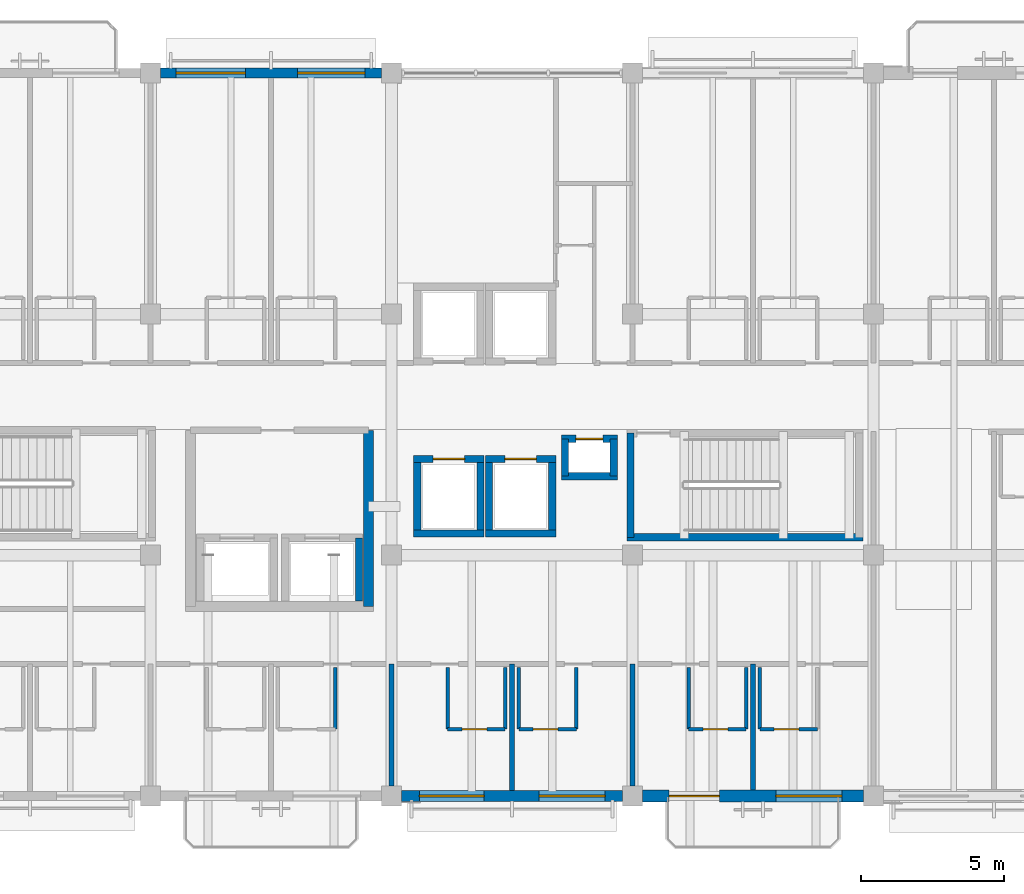
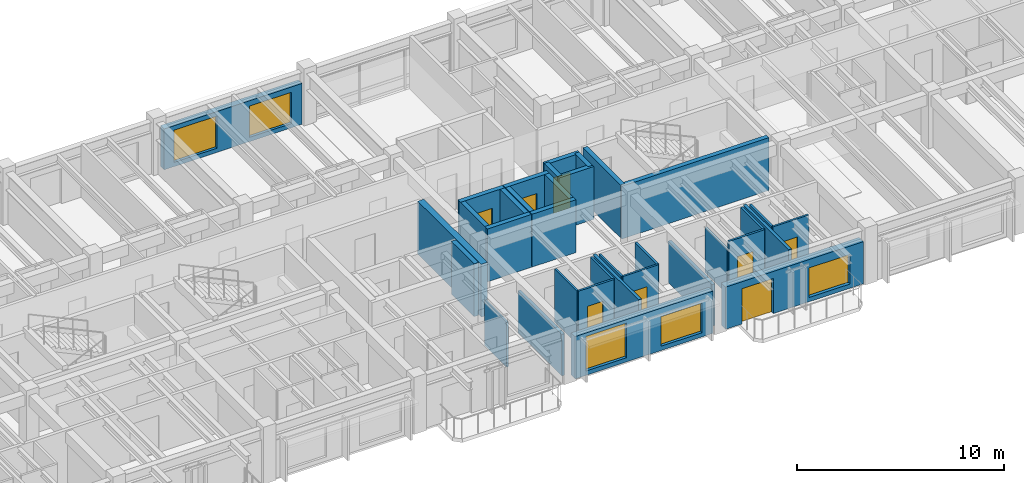
# One storey, part 9 of 18: 35 walls, 8 doors, 5 windows, 13 openings.
"""IFC4 building model written with IfcOpenShell, lengths in metres."""

from ifc_helpers import new_model, si_unit, direction, frame, frame_2d, origin, place, context, subcontext, project, spatial, rectangle, extrude, material, layer, layer_set, type_object, element, fill, save


model = new_model("IFC4")

# Units and contexts
model_context = context("Model", 3, precision=1e-05, world=origin(), true_north=direction((0.0, 1.0)))
body_context = subcontext(model_context, "Body", "Model", "MODEL_VIEW")
ifc_project = project(units=[si_unit("LENGTHUNIT", "METRE"), si_unit("AREAUNIT", "SQUARE_METRE"), si_unit("VOLUMEUNIT", "CUBIC_METRE"), si_unit("PLANEANGLEUNIT", "RADIAN"), si_unit("MASSUNIT", "GRAM", prefix="KILO")], contexts=[model_context])

# Site, building, storey
site_placement = place(None, origin())
site = spatial("IfcSite", under=ifc_project, at=site_placement, CompositionType="ELEMENT")
building_placement = place(site_placement, origin())
building = spatial("IfcBuilding", under=site, at=building_placement, Name="Cumbredor Promenade Congress Hotel", CompositionType="ELEMENT")
storey_placement = place(building_placement, frame((0.0, 0.0, 25.199951171875)))
storey = spatial("IfcBuildingStorey", under=building, at=storey_placement, Name="L07", CompositionType="ELEMENT", Elevation=25.199951171875)

# Walls
ifc_material_1 = material(Name="Concrete C50/60", Category="concrete")
ifc_layer_1 = layer(ifc_material_1, 0.35009765625, Name="Concrete C50/60", Category="concrete")
ifc_layer_set_1 = layer_set([ifc_layer_1], Name="Concrete C50/60")
wall_type_1 = type_object("IfcWallType", Name="Seismic Shear Core Wall 350mm", PredefinedType="SHEAR", material=ifc_layer_set_1)
wall_1_placement = place(storey_placement, frame((32.800048828125, 99.0, 0.0), z_axis=(0.0, 0.0, 1.0), x_axis=(0.0, 1.0, 0.0)))
element("IfcWall", 1, at=wall_1_placement, inside=storey, type_object=wall_type_1, Name="L07 Hotel Core Shear Wall E1", PredefinedType="SHEAR", context=body_context, shape_type="SweptSolid", body=[
    extrude(rectangle(XDim=6.14990234375, YDim=0.35009765625, at=frame_2d((3.074951171875, 0.0))), origin(), (0.0, 0.0, 1.0), 3.1201171875),
])
ifc_material_2 = material(Name="Moisture-resistant gypsum board on steel studs", Category="steel")
ifc_layer_2 = layer(ifc_material_2, 0.114990234375, Name="Moisture-resistant gypsum board on steel studs", Category="steel")
ifc_layer_set_2 = layer_set([ifc_layer_2], Name="Moisture-resistant gypsum board on steel studs")
wall_type_2 = type_object("IfcWallType", Name="WL-BATH-115", PredefinedType="PARTITIONING", material=ifc_layer_set_2)
wall_2_placement = place(storey_placement, frame((31.639892578125, 94.72998046875, 0.0), z_axis=(0.0, 0.0, 1.0), x_axis=(0.0, 1.0, 0.0)))
element("IfcWall", 2, at=wall_2_placement, inside=storey, type_object=wall_type_2, Name="L07 Interior Partition W-L07-BV2-0778", PredefinedType="PARTITIONING", context=body_context, shape_type="SweptSolid", body=[
    extrude(rectangle(XDim=2.14990234375, YDim=0.114990234375, at=frame_2d((1.074951171875, 0.0))), origin(), (0.0, 0.0, 1.0), 2.64208984375),
])

# Wall, opening, door
wall_3_placement = place(storey_placement, frame((35.56005859375, 94.72998046875, 0.0), z_axis=(0.0, 0.0, 1.0), x_axis=(1.0, 0.0, 0.0)))
wall_3 = element("IfcWall", 3, at=wall_3_placement, inside=storey, type_object=wall_type_2, Name="L07 Interior Partition W-L07-BH-0779", PredefinedType="PARTITIONING", context=body_context, shape_type="SweptSolid", body=[
    extrude(rectangle(XDim=2.0, YDim=0.114990234375, at=frame_2d((1.0, 0.0))), origin(), (0.0, 0.0, 1.0), 3.1201171875),
])
opening_1_placement = place(wall_3_placement, frame((0.5, 0.0, 0.0)))
opening_1 = element("IfcOpeningElement", 4, at=opening_1_placement, cuts=wall_3, Name="Opening ID-01", PredefinedType="OPENING", context=body_context, shape_type="SweptSolid", body=[
    extrude(rectangle(XDim=0.860107421875, YDim=2.050048828125, at=frame_2d((0.43017578125, 1.02490234375))), frame((0.0, 0.0673828125, 0.0), z_axis=(0.0, -1.0, 0.0), x_axis=(1.0, 0.0, 0.0)), (0.0, 0.0, 1.0), 0.135009765625),
])
ifc_material_3 = material(Name="Kiln-dried tropical hardwood", Category="wood")
door_type_1 = type_object("IfcDoorType", Name="DR-BATH-860", OperationType="NOTDEFINED", PredefinedType="DOOR", material=ifc_material_3)
door_1_placement = place(opening_1_placement, origin())
door_1 = element("IfcDoor", 5, at=door_1_placement, inside=storey, type_object=door_type_1, Name="L07 Interior Door W-L07-BH-0779-01", OperationType="SINGLE_SWING_LEFT", OverallHeight=2.050048828125, OverallWidth=0.860107421875, PredefinedType="DOOR", context=body_context, shape_type="SweptSolid", body=[
    extrude(rectangle(XDim=0.860107421875, YDim=2.050048828125, at=frame_2d((0.43017578125, 1.02490234375))), frame((0.0, 0.02490234375, 0.0), z_axis=(0.0, -1.0, 0.0), x_axis=(1.0, 0.0, 0.0)), (0.0, 0.0, 1.0), 0.050048828125),
])
fill(opening_1, door_1)

# Walls
for number, where, z_axis, x_axis, name in (
    (6, (35.56005859375, 94.72998046875, 0.0), (0.0, 0.0, 1.0), (0.0, 1.0, 0.0), "L07 Interior Partition W-L07-BV1-0779"),
    (7, (37.56005859375, 94.72998046875, 0.0), (0.0, 0.0, 1.0), (0.0, 1.0, 0.0), "L07 Interior Partition W-L07-BV2-0779"),
):
    element("IfcWall", number, at=place(storey_placement, frame(where, z_axis=z_axis, x_axis=x_axis)), inside=storey, type_object=wall_type_2, Name=name, PredefinedType="PARTITIONING", context=body_context, shape_type="SweptSolid", body=[
        extrude(rectangle(XDim=2.14990234375, YDim=0.114990234375, at=frame_2d((1.074951171875, 0.0))), origin(), (0.0, 0.0, 1.0), 3.1201171875),
    ])

# Wall, opening, door
wall_4_placement = place(storey_placement, frame((38.0400390625, 94.72998046875, 0.0), z_axis=(0.0, 0.0, 1.0), x_axis=(1.0, 0.0, 0.0)))
wall_4 = element("IfcWall", 8, at=wall_4_placement, inside=storey, type_object=wall_type_2, Name="L07 Interior Partition W-L07-BH-07710", PredefinedType="PARTITIONING", context=body_context, shape_type="SweptSolid", body=[
    extrude(rectangle(XDim=2.0, YDim=0.114990234375, at=frame_2d((1.0, 0.0))), origin(), (0.0, 0.0, 1.0), 3.1201171875),
])
opening_2_placement = place(wall_4_placement, frame((0.5, 0.0, 0.0)))
opening_2 = element("IfcOpeningElement", 9, at=opening_2_placement, cuts=wall_4, Name="Opening ID-01", PredefinedType="OPENING", context=body_context, shape_type="SweptSolid", body=[
    extrude(rectangle(XDim=0.860107421875, YDim=2.050048828125, at=frame_2d((0.43017578125, 1.02490234375))), frame((0.0, 0.0673828125, 0.0), z_axis=(0.0, -1.0, 0.0), x_axis=(1.0, 0.0, 0.0)), (0.0, 0.0, 1.0), 0.135009765625),
])
door_2_placement = place(opening_2_placement, origin())
door_2 = element("IfcDoor", 10, at=door_2_placement, inside=storey, type_object=door_type_1, Name="L07 Interior Door W-L07-BH-07710-01", OperationType="SINGLE_SWING_RIGHT", OverallHeight=2.050048828125, OverallWidth=0.860107421875, PredefinedType="DOOR", context=body_context, shape_type="SweptSolid", body=[
    extrude(rectangle(XDim=0.860107421875, YDim=2.050048828125, at=frame_2d((0.43017578125, 1.02490234375))), frame((0.0, 0.02490234375, 0.0), z_axis=(0.0, -1.0, 0.0), x_axis=(1.0, 0.0, 0.0)), (0.0, 0.0, 1.0), 0.050048828125),
])
fill(opening_2, door_2)

# Walls
for number, where, z_axis, x_axis, name in (
    (11, (38.0400390625, 94.72998046875, 0.0), (0.0, 0.0, 1.0), (0.0, 1.0, 0.0), "L07 Interior Partition W-L07-BV1-07710"),
    (12, (40.0400390625, 94.72998046875, 0.0), (0.0, 0.0, 1.0), (0.0, 1.0, 0.0), "L07 Interior Partition W-L07-BV2-07710"),
):
    element("IfcWall", number, at=place(storey_placement, frame(where, z_axis=z_axis, x_axis=x_axis)), inside=storey, type_object=wall_type_2, Name=name, PredefinedType="PARTITIONING", context=body_context, shape_type="SweptSolid", body=[
        extrude(rectangle(XDim=2.14990234375, YDim=0.114990234375, at=frame_2d((1.074951171875, 0.0))), origin(), (0.0, 0.0, 1.0), 3.1201171875),
    ])

# Wall, opening, door
wall_5_placement = place(storey_placement, frame((43.9599609375, 94.72998046875, 0.0), z_axis=(0.0, 0.0, 1.0), x_axis=(1.0, 0.0, 0.0)))
wall_5 = element("IfcWall", 13, at=wall_5_placement, inside=storey, type_object=wall_type_2, Name="L07 Interior Partition W-L07-BH-07711", PredefinedType="PARTITIONING", context=body_context, shape_type="SweptSolid", body=[
    extrude(rectangle(XDim=2.0, YDim=0.114990234375, at=frame_2d((1.0, 0.0))), origin(), (0.0, 0.0, 1.0), 3.1201171875),
])
opening_3_placement = place(wall_5_placement, frame((0.5, 0.0, 0.0)))
opening_3 = element("IfcOpeningElement", 14, at=opening_3_placement, cuts=wall_5, Name="Opening ID-01", PredefinedType="OPENING", context=body_context, shape_type="SweptSolid", body=[
    extrude(rectangle(XDim=0.860107421875, YDim=2.050048828125, at=frame_2d((0.43017578125, 1.02490234375))), frame((0.0, 0.0673828125, 0.0), z_axis=(0.0, -1.0, 0.0), x_axis=(1.0, 0.0, 0.0)), (0.0, 0.0, 1.0), 0.135009765625),
])
door_3_placement = place(opening_3_placement, origin())
door_3 = element("IfcDoor", 15, at=door_3_placement, inside=storey, type_object=door_type_1, Name="L07 Interior Door W-L07-BH-07711-01", OperationType="SINGLE_SWING_LEFT", OverallHeight=2.050048828125, OverallWidth=0.860107421875, PredefinedType="DOOR", context=body_context, shape_type="SweptSolid", body=[
    extrude(rectangle(XDim=0.860107421875, YDim=2.050048828125, at=frame_2d((0.43017578125, 1.02490234375))), frame((0.0, 0.02490234375, 0.0), z_axis=(0.0, -1.0, 0.0), x_axis=(1.0, 0.0, 0.0)), (0.0, 0.0, 1.0), 0.050048828125),
])
fill(opening_3, door_3)

# Walls
wall_6_placement = place(storey_placement, frame((43.9599609375, 94.72998046875, 0.0), z_axis=(0.0, 0.0, 1.0), x_axis=(0.0, 1.0, 0.0)))
element("IfcWall", 16, at=wall_6_placement, inside=storey, type_object=wall_type_2, Name="L07 Interior Partition W-L07-BV1-07711", PredefinedType="PARTITIONING", context=body_context, shape_type="SweptSolid", body=[
    extrude(rectangle(XDim=2.14990234375, YDim=0.114990234375, at=frame_2d((1.074951171875, 0.0))), origin(), (0.0, 0.0, 1.0), 2.64208984375),
])
wall_7_placement = place(storey_placement, frame((45.9599609375, 94.72998046875, 0.0), z_axis=(0.0, 0.0, 1.0), x_axis=(0.0, 1.0, 0.0)))
element("IfcWall", 17, at=wall_7_placement, inside=storey, type_object=wall_type_2, Name="L07 Interior Partition W-L07-BV2-07711", PredefinedType="PARTITIONING", context=body_context, shape_type="SweptSolid", body=[
    extrude(rectangle(XDim=2.14990234375, YDim=0.114990234375, at=frame_2d((1.074951171875, 0.0))), origin(), (0.0, 0.0, 1.0), 3.1201171875),
])

# Wall, opening, door
wall_8_placement = place(storey_placement, frame((46.43994140625, 94.72998046875, 0.0), z_axis=(0.0, 0.0, 1.0), x_axis=(1.0, 0.0, 0.0)))
wall_8 = element("IfcWall", 18, at=wall_8_placement, inside=storey, type_object=wall_type_2, Name="L07 Interior Partition W-L07-BH-07712", PredefinedType="PARTITIONING", context=body_context, shape_type="SweptSolid", body=[
    extrude(rectangle(XDim=2.0, YDim=0.114990234375, at=frame_2d((1.0, 0.0))), origin(), (0.0, 0.0, 1.0), 3.1201171875),
])
opening_4_placement = place(wall_8_placement, frame((0.5, 0.0, 0.0)))
opening_4 = element("IfcOpeningElement", 19, at=opening_4_placement, cuts=wall_8, Name="Opening ID-01", PredefinedType="OPENING", context=body_context, shape_type="SweptSolid", body=[
    extrude(rectangle(XDim=0.860107421875, YDim=2.050048828125, at=frame_2d((0.43017578125, 1.02490234375))), frame((0.0, 0.0673828125, 0.0), z_axis=(0.0, -1.0, 0.0), x_axis=(1.0, 0.0, 0.0)), (0.0, 0.0, 1.0), 0.135009765625),
])
door_4_placement = place(opening_4_placement, origin())
door_4 = element("IfcDoor", 20, at=door_4_placement, inside=storey, type_object=door_type_1, Name="L07 Interior Door W-L07-BH-07712-01", OperationType="SINGLE_SWING_RIGHT", OverallHeight=2.050048828125, OverallWidth=0.860107421875, PredefinedType="DOOR", context=body_context, shape_type="SweptSolid", body=[
    extrude(rectangle(XDim=0.860107421875, YDim=2.050048828125, at=frame_2d((0.43017578125, 1.02490234375))), frame((0.0, 0.02490234375, 0.0), z_axis=(0.0, -1.0, 0.0), x_axis=(1.0, 0.0, 0.0)), (0.0, 0.0, 1.0), 0.050048828125),
])
fill(opening_4, door_4)

# Wall
wall_9_placement = place(storey_placement, frame((46.43994140625, 94.72998046875, 0.0), z_axis=(0.0, 0.0, 1.0), x_axis=(0.0, 1.0, 0.0)))
element("IfcWall", 21, at=wall_9_placement, inside=storey, type_object=wall_type_2, Name="L07 Interior Partition W-L07-BV1-07712", PredefinedType="PARTITIONING", context=body_context, shape_type="SweptSolid", body=[
    extrude(rectangle(XDim=2.14990234375, YDim=0.114990234375, at=frame_2d((1.074951171875, 0.0))), origin(), (0.0, 0.0, 1.0), 3.1201171875),
])

# Wall, openings, windows
ifc_material_4 = material(Name="Concrete C40/50", Category="concrete")
ifc_layer_3 = layer(ifc_material_4, 0.35009765625, Name="Concrete C40/50", Category="concrete")
ifc_layer_set_3 = layer_set([ifc_layer_3], Name="Concrete C40/50")
wall_type_3 = type_object("IfcWallType", Name="WL-EXT-350", PredefinedType="SOLIDWALL", material=ifc_layer_set_3)
wall_10_placement = place(storey_placement, frame((25.551025390625, 117.60009765625, 0.0), z_axis=(0.0, 0.0, 1.0), x_axis=(1.0, 0.0, 0.0)))
wall_10 = element("IfcWall", 22, at=wall_10_placement, inside=storey, type_object=wall_type_3, Name="L07 Stepped Congress Hotel Wing North Envelope Wall 4", PredefinedType="SOLIDWALL", context=body_context, shape_type="SweptSolid", body=[
    extrude(rectangle(XDim=7.697998046875, YDim=0.35009765625, at=frame_2d((3.84912109375, 0.0))), origin(), (0.0, 0.0, 1.0), 2.4140625),
])
opening_5_placement = place(wall_10_placement, frame((0.5390625, 0.0, 0.25)))
opening_5 = element("IfcOpeningElement", 23, at=opening_5_placement, cuts=wall_10, Name="Opening WN-37", PredefinedType="OPENING", context=body_context, shape_type="SweptSolid", body=[
    extrude(rectangle(XDim=2.419921875, YDim=1.89990234375, at=frame_2d((1.2099609375, 0.949951171875))), frame((0.0, 0.18505859375, 0.0), z_axis=(0.0, -1.0, 0.0), x_axis=(1.0, 0.0, 0.0)), (0.0, 0.0, 1.0), 0.3701171875),
])
opening_6_placement = place(wall_10_placement, frame((4.77392578125, 0.0, 0.25)))
opening_6 = element("IfcOpeningElement", 24, at=opening_6_placement, cuts=wall_10, Name="Opening WN-02", PredefinedType="OPENING", context=body_context, shape_type="SweptSolid", body=[
    extrude(rectangle(XDim=2.35009765625, YDim=1.85009765625, at=frame_2d((1.175048828125, 0.925048828125))), frame((0.0, 0.18505859375, 0.0), z_axis=(0.0, -1.0, 0.0), x_axis=(1.0, 0.0, 0.0)), (0.0, 0.0, 1.0), 0.3701171875),
])
ifc_material_5 = material(Name="Thermally broken anodized aluminium and low-E glass", Category="aluminium")
window_type_1 = type_object("IfcWindowType", Name="Hospitality Floor-to-Ceiling Window WN-02 2350x1850", PartitioningType="DOUBLE_PANEL_VERTICAL", PredefinedType="WINDOW", material=ifc_material_5)
window_1_placement = place(opening_6_placement, origin())
window_1 = element("IfcWindow", 25, at=window_1_placement, inside=storey, type_object=window_type_1, Name="L07 Wide Hospitality Window 0632", OverallHeight=1.85009765625, OverallWidth=2.35009765625, PartitioningType="DOUBLE_PANEL_VERTICAL", PredefinedType="WINDOW", context=body_context, shape_type="SweptSolid", body=[
    extrude(rectangle(XDim=2.35009765625, YDim=1.85009765625, at=frame_2d((1.175048828125, 0.925048828125))), frame((0.0, 0.030029296875, 0.0), z_axis=(0.0, -1.0, 0.0), x_axis=(1.0, 0.0, 0.0)), (0.0, 0.0, 1.0), 0.06005859375),
])
fill(opening_6, window_1)
window_type_2 = type_object("IfcWindowType", Name="Hospitality Floor-to-Ceiling Window WN-37 2420x1900", PartitioningType="DOUBLE_PANEL_VERTICAL", PredefinedType="WINDOW", material=ifc_material_5)
window_2_placement = place(opening_5_placement, origin())
window_2 = element("IfcWindow", 26, at=window_2_placement, inside=storey, type_object=window_type_2, Name="L07 Wide Hospitality Window 0631", OverallHeight=1.89990234375, OverallWidth=2.419921875, PartitioningType="DOUBLE_PANEL_VERTICAL", PredefinedType="WINDOW", context=body_context, shape_type="SweptSolid", body=[
    extrude(rectangle(XDim=2.419921875, YDim=1.89990234375, at=frame_2d((1.2099609375, 0.949951171875))), frame((0.0, 0.030029296875, 0.0), z_axis=(0.0, -1.0, 0.0), x_axis=(1.0, 0.0, 0.0)), (0.0, 0.0, 1.0), 0.06005859375),
])
fill(opening_5, window_2)

ifc_layer_4 = layer(ifc_material_4, 0.3798828125, Name="Concrete C40/50", Category="concrete")
ifc_layer_set_4 = layer_set([ifc_layer_4], Name="Concrete C40/50")
wall_type_4 = type_object("IfcWallType", Name="WL-EXT-380", PredefinedType="SOLIDWALL", material=ifc_layer_set_4)
wall_11_placement = place(storey_placement, frame((33.950927734375, 92.39990234375, 0.0), z_axis=(0.0, 0.0, 1.0), x_axis=(1.0, 0.0, 0.0)))
wall_11 = element("IfcWall", 27, at=wall_11_placement, inside=storey, type_object=wall_type_4, Name="L07 Stepped Congress Hotel Wing South Envelope Wall 5", PredefinedType="SOLIDWALL", context=body_context, shape_type="SweptSolid", body=[
    extrude(rectangle(XDim=7.697998046875, YDim=0.3798828125, at=frame_2d((3.84912109375, 0.0))), origin(), (0.0, 0.0, 1.0), 2.494140625),
])
opening_7_placement = place(wall_11_placement, frame((0.6240234375, 0.0, 0.25)))
opening_7 = element("IfcOpeningElement", 28, at=opening_7_placement, cuts=wall_11, Name="Opening WN-13", PredefinedType="OPENING", context=body_context, shape_type="SweptSolid", body=[
    extrude(rectangle(XDim=2.25, YDim=2.050048828125, at=frame_2d((1.125, 1.02490234375))), frame((0.0, 0.199951171875, 0.0), z_axis=(0.0, -1.0, 0.0), x_axis=(1.0, 0.0, 0.0)), (0.0, 0.0, 1.0), 0.39990234375),
])
opening_8_placement = place(wall_11_placement, frame((4.799072265625, 0.0, 0.25)))
opening_8 = element("IfcOpeningElement", 29, at=opening_8_placement, cuts=wall_11, Name="Opening WN-25", PredefinedType="OPENING", context=body_context, shape_type="SweptSolid", body=[
    extrude(rectangle(XDim=2.300048828125, YDim=1.75, at=frame_2d((1.14990234375, 0.875))), frame((0.0, 0.199951171875, 0.0), z_axis=(0.0, -1.0, 0.0), x_axis=(1.0, 0.0, 0.0)), (0.0, 0.0, 1.0), 0.39990234375),
])
window_type_3 = type_object("IfcWindowType", Name="Hospitality Floor-to-Ceiling Window WN-13 2250x2050", PartitioningType="DOUBLE_PANEL_VERTICAL", PredefinedType="WINDOW", material=ifc_material_5)
window_3_placement = place(opening_7_placement, origin())
window_3 = element("IfcWindow", 30, at=window_3_placement, inside=storey, type_object=window_type_3, Name="L07 Wide Hospitality Window 0621", OverallHeight=2.050048828125, OverallWidth=2.25, PartitioningType="DOUBLE_PANEL_VERTICAL", PredefinedType="WINDOW", context=body_context, shape_type="SweptSolid", body=[
    extrude(rectangle(XDim=2.25, YDim=2.050048828125, at=frame_2d((1.125, 1.02490234375))), frame((0.0, 0.030029296875, 0.0), z_axis=(0.0, -1.0, 0.0), x_axis=(1.0, 0.0, 0.0)), (0.0, 0.0, 1.0), 0.06005859375),
])
fill(opening_7, window_3)
window_type_4 = type_object("IfcWindowType", Name="Hospitality Floor-to-Ceiling Window WN-25 2300x1750", PartitioningType="DOUBLE_PANEL_VERTICAL", PredefinedType="WINDOW", material=ifc_material_5)
window_4_placement = place(opening_8_placement, origin())
window_4 = element("IfcWindow", 31, at=window_4_placement, inside=storey, type_object=window_type_4, Name="L07 Wide Hospitality Window 0622", OverallHeight=1.75, OverallWidth=2.300048828125, PartitioningType="DOUBLE_PANEL_VERTICAL", PredefinedType="WINDOW", context=body_context, shape_type="SweptSolid", body=[
    extrude(rectangle(XDim=2.300048828125, YDim=1.75, at=frame_2d((1.14990234375, 0.875))), frame((0.0, 0.030029296875, 0.0), z_axis=(0.0, -1.0, 0.0), x_axis=(1.0, 0.0, 0.0)), (0.0, 0.0, 1.0), 0.06005859375),
])
fill(opening_8, window_4)

# Wall, openings, door, window
ifc_layer_5 = layer(ifc_material_4, 0.425048828125, Name="Concrete C40/50", Category="concrete")
ifc_layer_set_5 = layer_set([ifc_layer_5], Name="Concrete C40/50")
wall_type_5 = type_object("IfcWallType", Name="WL-EXT-425", PredefinedType="SOLIDWALL", material=ifc_layer_set_5)
wall_12_placement = place(storey_placement, frame((42.35107421875, 92.39990234375, 0.0), z_axis=(0.0, 0.0, 1.0), x_axis=(1.0, 0.0, 0.0)))
wall_12 = element("IfcWall", 32, at=wall_12_placement, inside=storey, type_object=wall_type_5, Name="L07 Stepped Congress Hotel Wing South Envelope Wall 6", PredefinedType="SOLIDWALL", context=body_context, shape_type="SweptSolid", body=[
    extrude(rectangle(XDim=7.697998046875, YDim=0.425048828125, at=frame_2d((3.84912109375, 0.0))), origin(), (0.0, 0.0, 1.0), 2.494140625),
])
opening_9_placement = place(wall_12_placement, frame((0.924072265625, 0.0, 0.0)))
opening_9 = element("IfcOpeningElement", 33, at=opening_9_placement, cuts=wall_12, Name="Opening TD-03", PredefinedType="OPENING", context=body_context, shape_type="SweptSolid", body=[
    extrude(rectangle(XDim=1.75, YDim=2.080078125, at=frame_2d((0.875, 1.0400390625))), frame((0.0, 0.22265625, 0.0), z_axis=(0.0, -1.0, 0.0), x_axis=(1.0, 0.0, 0.0)), (0.0, 0.0, 1.0), 0.445068359375),
])
opening_10_placement = place(wall_12_placement, frame((4.64892578125, 0.0, 0.25)))
opening_10 = element("IfcOpeningElement", 34, at=opening_10_placement, cuts=wall_12, Name="Opening WN-25", PredefinedType="OPENING", context=body_context, shape_type="SweptSolid", body=[
    extrude(rectangle(XDim=2.300048828125, YDim=1.75, at=frame_2d((1.14990234375, 0.875))), frame((0.0, 0.22265625, 0.0), z_axis=(0.0, -1.0, 0.0), x_axis=(1.0, 0.0, 0.0)), (0.0, 0.0, 1.0), 0.445068359375),
])
ifc_material_6 = material(Name="Thermally broken anodized aluminium and laminated safety glass", Category="aluminium")
door_type_2 = type_object("IfcDoorType", Name="EXT-DR-TER-1750x2080", OperationType="DOUBLE_DOOR_SINGLE_SWING", PredefinedType="DOOR", material=ifc_material_6)
door_5_placement = place(opening_9_placement, frame((1.75, 0.0, 0.0), z_axis=(0.0, 0.0, 1.0), x_axis=(-1.0, 0.0, 0.0)))
door_5 = element("IfcDoor", 35, at=door_5_placement, inside=storey, type_object=door_type_2, Name="L07 Guestroom Veranda Balcony Door 077", OperationType="DOUBLE_DOOR_SINGLE_SWING", OverallHeight=2.080078125, OverallWidth=1.75, PredefinedType="DOOR", context=body_context, shape_type="SweptSolid", body=[
    extrude(rectangle(XDim=1.75, YDim=2.080078125, at=frame_2d((0.875, 1.0400390625))), frame((0.0, 0.02490234375, 0.0), z_axis=(0.0, -1.0, 0.0), x_axis=(1.0, 0.0, 0.0)), (0.0, 0.0, 1.0), 0.050048828125),
])
fill(opening_9, door_5)
window_5_placement = place(opening_10_placement, origin())
window_5 = element("IfcWindow", 36, at=window_5_placement, inside=storey, type_object=window_type_4, Name="L07 Veranda Companion Floor-to-Ceiling Window 0623", OverallHeight=1.75, OverallWidth=2.300048828125, PartitioningType="DOUBLE_PANEL_VERTICAL", PredefinedType="WINDOW", context=body_context, shape_type="SweptSolid", body=[
    extrude(rectangle(XDim=2.300048828125, YDim=1.75, at=frame_2d((1.14990234375, 0.875))), frame((0.0, 0.030029296875, 0.0), z_axis=(0.0, -1.0, 0.0), x_axis=(1.0, 0.0, 0.0)), (0.0, 0.0, 1.0), 0.06005859375),
])
fill(opening_10, window_5)

# Walls
ifc_layer_6 = layer(ifc_material_4, 0.2548828125, Name="Concrete C40/50", Category="concrete")
ifc_layer_set_6 = layer_set([ifc_layer_6], Name="Concrete C40/50")
wall_type_6 = type_object("IfcWallType", Name="WL-SHAFT-250", PredefinedType="SOLIDWALL", material=ifc_layer_set_6)
wall_13_placement = place(storey_placement, frame((41.802490234375, 101.419921875, 0.0), z_axis=(0.0, 0.0, 1.0), x_axis=(1.0, 0.0, 0.0)))
element("IfcWall", 37, at=wall_13_placement, inside=storey, type_object=wall_type_6, Name="STAIR-ST-03-L07 Shaft Wall South", PredefinedType="SOLIDWALL", context=body_context, shape_type="SweptSolid", body=[
    extrude(rectangle(XDim=8.22509765625, YDim=0.2548828125, at=frame_2d((4.112548828125, 0.0))), origin(), (0.0, 0.0, 1.0), 3.1201171875),
])
wall_14_placement = place(storey_placement, frame((41.929931640625, 101.419921875, 0.0), z_axis=(0.0, 0.0, 1.0), x_axis=(0.0, 1.0, 0.0)))
element("IfcWall", 38, at=wall_14_placement, inside=storey, type_object=wall_type_6, Name="STAIR-ST-03-L07 Shaft Wall West", PredefinedType="SOLIDWALL", context=body_context, shape_type="SweptSolid", body=[
    extrude(rectangle(XDim=3.630126953125, YDim=0.2548828125, at=frame_2d((1.81494140625, 0.0))), origin(), (0.0, 0.0, 1.0), 3.1201171875),
])
wall_15_placement = place(storey_placement, frame((32.469970703125, 99.199951171875, 0.0), z_axis=(0.0, 0.0, 1.0), x_axis=(0.0, 1.0, 0.0)))
element("IfcWall", 39, at=wall_15_placement, inside=storey, type_object=wall_type_6, Name="SHAFT-FF-02-L07 Shaft Wall East", PredefinedType="SOLIDWALL", context=body_context, shape_type="SweptSolid", body=[
    extrude(rectangle(XDim=2.199951171875, YDim=0.2548828125, at=frame_2d((1.10009765625, 0.0))), origin(), (0.0, 0.0, 1.0), 3.1201171875),
])
wall_16_placement = place(storey_placement, frame((34.37255859375, 101.550048828125, 0.0), z_axis=(0.0, 0.0, 1.0), x_axis=(1.0, 0.0, 0.0)))
element("IfcWall", 40, at=wall_16_placement, inside=storey, type_object=wall_type_6, Name="SHAFT-PL-03-L07 Shaft Wall South", PredefinedType="SOLIDWALL", context=body_context, shape_type="SweptSolid", body=[
    extrude(rectangle(XDim=2.454833984375, YDim=0.2548828125, at=frame_2d((1.2275390625, 0.0))), origin(), (0.0, 0.0, 1.0), 3.1201171875),
])

# Wall, opening, door
wall_17_placement = place(storey_placement, frame((34.37255859375, 104.14990234375, 0.0), z_axis=(0.0, 0.0, 1.0), x_axis=(1.0, 0.0, 0.0)))
wall_17 = element("IfcWall", 41, at=wall_17_placement, inside=storey, type_object=wall_type_6, Name="SHAFT-PL-03-L07 Shaft Wall North", PredefinedType="SOLIDWALL", context=body_context, shape_type="SweptSolid", body=[
    extrude(rectangle(XDim=2.454833984375, YDim=0.2548828125, at=frame_2d((1.2275390625, 0.0))), origin(), (0.0, 0.0, 1.0), 3.1201171875),
])
opening_11_placement = place(wall_17_placement, frame((0.677490234375, 0.0, 0.0)))
opening_11 = element("IfcOpeningElement", 42, at=opening_11_placement, cuts=wall_17, Name="Opening LD-01", PredefinedType="OPENING", context=body_context, shape_type="SweptSolid", body=[
    extrude(rectangle(XDim=1.10009765625, YDim=2.14990234375, at=frame_2d((0.550048828125, 1.074951171875))), frame((0.0, 0.137451171875, 0.0), z_axis=(0.0, -1.0, 0.0), x_axis=(1.0, 0.0, 0.0)), (0.0, 0.0, 1.0), 0.27490234375),
])
ifc_material_7 = material(Name="Brushed stainless steel", Category="steel")
door_type_3 = type_object("IfcDoorType", Name="Lift Landing Sliding Door LD-01 1100x2150", OperationType="DOUBLE_DOOR_SLIDING", PredefinedType="DOOR", material=ifc_material_7)
door_6_placement = place(opening_11_placement, origin())
door_6 = element("IfcDoor", 43, at=door_6_placement, inside=storey, type_object=door_type_3, Name="L07 Hotel Passenger Lift PL-03 Sliding Landing Door", OperationType="DOUBLE_DOOR_SLIDING", OverallHeight=2.14990234375, OverallWidth=1.10009765625, PredefinedType="DOOR", context=body_context, shape_type="SweptSolid", body=[
    extrude(rectangle(XDim=1.10009765625, YDim=2.14990234375, at=frame_2d((0.550048828125, 1.074951171875))), frame((0.0, 0.02490234375, 0.0), z_axis=(0.0, -1.0, 0.0), x_axis=(1.0, 0.0, 0.0)), (0.0, 0.0, 1.0), 0.050048828125),
])
fill(opening_11, door_6)

# Walls
for number, where, z_axis, x_axis, name in (
    (44, (34.5, 101.550048828125, 0.0), (0.0, 0.0, 1.0), (0.0, 1.0, 0.0), "SHAFT-PL-03-L07 Shaft Wall West"),
    (45, (36.699951171875, 101.550048828125, 0.0), (0.0, 0.0, 1.0), (0.0, 1.0, 0.0), "SHAFT-PL-03-L07 Shaft Wall East"),
):
    element("IfcWall", number, at=place(storey_placement, frame(where, z_axis=z_axis, x_axis=x_axis)), inside=storey, type_object=wall_type_6, Name=name, PredefinedType="SOLIDWALL", context=body_context, shape_type="SweptSolid", body=[
        extrude(rectangle(XDim=2.599853515625, YDim=0.2548828125, at=frame_2d((1.2998046875, 0.0))), origin(), (0.0, 0.0, 1.0), 3.1201171875),
    ])
wall_18_placement = place(storey_placement, frame((36.87255859375, 101.550048828125, 0.0), z_axis=(0.0, 0.0, 1.0), x_axis=(1.0, 0.0, 0.0)))
element("IfcWall", 46, at=wall_18_placement, inside=storey, type_object=wall_type_6, Name="SHAFT-PL-04-L07 Shaft Wall South", PredefinedType="SOLIDWALL", context=body_context, shape_type="SweptSolid", body=[
    extrude(rectangle(XDim=2.454833984375, YDim=0.2548828125, at=frame_2d((1.2275390625, 0.0))), origin(), (0.0, 0.0, 1.0), 3.1201171875),
])

# Wall, opening, door
wall_19_placement = place(storey_placement, frame((36.87255859375, 104.14990234375, 0.0), z_axis=(0.0, 0.0, 1.0), x_axis=(1.0, 0.0, 0.0)))
wall_19 = element("IfcWall", 47, at=wall_19_placement, inside=storey, type_object=wall_type_6, Name="SHAFT-PL-04-L07 Shaft Wall North", PredefinedType="SOLIDWALL", context=body_context, shape_type="SweptSolid", body=[
    extrude(rectangle(XDim=2.454833984375, YDim=0.2548828125, at=frame_2d((1.2275390625, 0.0))), origin(), (0.0, 0.0, 1.0), 3.1201171875),
])
opening_12_placement = place(wall_19_placement, frame((0.677490234375, 0.0, 0.0)))
opening_12 = element("IfcOpeningElement", 48, at=opening_12_placement, cuts=wall_19, Name="Opening LD-01", PredefinedType="OPENING", context=body_context, shape_type="SweptSolid", body=[
    extrude(rectangle(XDim=1.10009765625, YDim=2.14990234375, at=frame_2d((0.550048828125, 1.074951171875))), frame((0.0, 0.137451171875, 0.0), z_axis=(0.0, -1.0, 0.0), x_axis=(1.0, 0.0, 0.0)), (0.0, 0.0, 1.0), 0.27490234375),
])
door_7_placement = place(opening_12_placement, origin())
door_7 = element("IfcDoor", 49, at=door_7_placement, inside=storey, type_object=door_type_3, Name="L07 Hotel Passenger Lift PL-04 Sliding Landing Door", OperationType="DOUBLE_DOOR_SLIDING", OverallHeight=2.14990234375, OverallWidth=1.10009765625, PredefinedType="DOOR", context=body_context, shape_type="SweptSolid", body=[
    extrude(rectangle(XDim=1.10009765625, YDim=2.14990234375, at=frame_2d((0.550048828125, 1.074951171875))), frame((0.0, 0.02490234375, 0.0), z_axis=(0.0, -1.0, 0.0), x_axis=(1.0, 0.0, 0.0)), (0.0, 0.0, 1.0), 0.050048828125),
])
fill(opening_12, door_7)

# Walls
for number, where, z_axis, x_axis, name in (
    (50, (37.0, 101.550048828125, 0.0), (0.0, 0.0, 1.0), (0.0, 1.0, 0.0), "SHAFT-PL-04-L07 Shaft Wall West"),
    (51, (39.199951171875, 101.550048828125, 0.0), (0.0, 0.0, 1.0), (0.0, 1.0, 0.0), "SHAFT-PL-04-L07 Shaft Wall East"),
):
    element("IfcWall", number, at=place(storey_placement, frame(where, z_axis=z_axis, x_axis=x_axis)), inside=storey, type_object=wall_type_6, Name=name, PredefinedType="SOLIDWALL", context=body_context, shape_type="SweptSolid", body=[
        extrude(rectangle(XDim=2.599853515625, YDim=0.2548828125, at=frame_2d((1.2998046875, 0.0))), origin(), (0.0, 0.0, 1.0), 3.1201171875),
    ])
wall_20_placement = place(storey_placement, frame((39.5224609375, 103.550048828125, 0.0), z_axis=(0.0, 0.0, 1.0), x_axis=(1.0, 0.0, 0.0)))
element("IfcWall", 52, at=wall_20_placement, inside=storey, type_object=wall_type_6, Name="RISER-MEP-R1-L07 Shaft Wall South", PredefinedType="SOLIDWALL", context=body_context, shape_type="SweptSolid", body=[
    extrude(rectangle(XDim=1.955078125, YDim=0.2548828125, at=frame_2d((0.9775390625, 0.0))), origin(), (0.0, 0.0, 1.0), 3.1201171875),
])

# Wall, opening, door
wall_21_placement = place(storey_placement, frame((39.5224609375, 104.85009765625, 0.0), z_axis=(0.0, 0.0, 1.0), x_axis=(1.0, 0.0, 0.0)))
wall_21 = element("IfcWall", 53, at=wall_21_placement, inside=storey, type_object=wall_type_6, Name="RISER-MEP-R1-L07 Shaft Wall North", PredefinedType="SOLIDWALL", context=body_context, shape_type="SweptSolid", body=[
    extrude(rectangle(XDim=1.955078125, YDim=0.2548828125, at=frame_2d((0.9775390625, 0.0))), origin(), (0.0, 0.0, 1.0), 3.1201171875),
])
opening_13_placement = place(wall_21_placement, frame((0.507568359375, 0.0, 0.0)))
opening_13 = element("IfcOpeningElement", 54, at=opening_13_placement, cuts=wall_21, Name="Opening FD-03", PredefinedType="OPENING", context=body_context, shape_type="SweptSolid", body=[
    extrude(rectangle(XDim=0.93994140625, YDim=2.10009765625, at=frame_2d((0.469970703125, 1.050048828125))), frame((0.0, 0.137451171875, 0.0), z_axis=(0.0, -1.0, 0.0), x_axis=(1.0, 0.0, 0.0)), (0.0, 0.0, 1.0), 0.27490234375),
])
ifc_material_8 = material(Name="Painted galvanized steel fire door", Category="steel")
door_type_4 = type_object("IfcDoorType", Name="DR-SGL-FD60-950", OperationType="NOTDEFINED", PredefinedType="DOOR", material=ifc_material_8)
door_8_placement = place(opening_13_placement, origin())
door_8 = element("IfcDoor", 55, at=door_8_placement, inside=storey, type_object=door_type_4, Name="L07 Hotel MEP Riser Shaft R1 Access Door", OperationType="SINGLE_SWING_LEFT", OverallHeight=2.10009765625, OverallWidth=0.93994140625, PredefinedType="DOOR", context=body_context, shape_type="SweptSolid", body=[
    extrude(rectangle(XDim=0.93994140625, YDim=2.10009765625, at=frame_2d((0.469970703125, 1.050048828125))), frame((0.0, 0.02490234375, 0.0), z_axis=(0.0, -1.0, 0.0), x_axis=(1.0, 0.0, 0.0)), (0.0, 0.0, 1.0), 0.050048828125),
])
fill(opening_13, door_8)

# Walls
for number, where, z_axis, x_axis, name in (
    (56, (39.64990234375, 103.550048828125, 0.0), (0.0, 0.0, 1.0), (0.0, 1.0, 0.0), "RISER-MEP-R1-L07 Shaft Wall West"),
    (57, (41.35009765625, 103.550048828125, 0.0), (0.0, 0.0, 1.0), (0.0, 1.0, 0.0), "RISER-MEP-R1-L07 Shaft Wall East"),
):
    element("IfcWall", number, at=place(storey_placement, frame(where, z_axis=z_axis, x_axis=x_axis)), inside=storey, type_object=wall_type_6, Name=name, PredefinedType="SOLIDWALL", context=body_context, shape_type="SweptSolid", body=[
        extrude(rectangle(XDim=1.300048828125, YDim=0.2548828125, at=frame_2d((0.64990234375, 0.0))), origin(), (0.0, 0.0, 1.0), 3.1201171875),
    ])
ifc_material_9 = material(Name="Fire-rated acoustic double-stud partition")
ifc_layer_7 = layer(ifc_material_9, 0.1650390625, Name="Fire-rated acoustic double-stud partition")
ifc_layer_set_7 = layer_set([ifc_layer_7], Name="Fire-rated acoustic double-stud partition")
wall_type_7 = type_object("IfcWallType", Name="WL-UNIT-165", PredefinedType="PARTITIONING", material=ifc_layer_set_7)
wall_22_placement = place(storey_placement, frame((37.800048828125, 92.590087890625, 0.0), z_axis=(0.0, 0.0, 1.0), x_axis=(0.0, 1.0, 0.0)))
element("IfcWall", 58, at=wall_22_placement, inside=storey, type_object=wall_type_7, Name="L07 Interior Partition W-L07-SC-DIV-4-M", PredefinedType="PARTITIONING", context=body_context, shape_type="SweptSolid", body=[
    extrude(rectangle(XDim=4.409912109375, YDim=0.1650390625, at=frame_2d((2.205078125, 0.0))), origin(), (0.0, 0.0, 1.0), 3.1201171875),
])
wall_23_placement = place(storey_placement, frame((33.60009765625, 92.75, 0.0), z_axis=(0.0, 0.0, 1.0), x_axis=(0.0, 1.0, 0.0)))
element("IfcWall", 59, at=wall_23_placement, inside=storey, type_object=wall_type_7, Name="L07 Interior Partition W-L07-SC-DIV-4-G", PredefinedType="PARTITIONING", context=body_context, shape_type="SweptSolid", body=[
    extrude(rectangle(XDim=4.25, YDim=0.1650390625, at=frame_2d((2.125, 0.0))), origin(), (0.0, 0.0, 1.0), 2.455078125),
])
wall_24_placement = place(storey_placement, frame((46.199951171875, 92.612548828125, 0.0), z_axis=(0.0, 0.0, 1.0), x_axis=(0.0, 1.0, 0.0)))
element("IfcWall", 60, at=wall_24_placement, inside=storey, type_object=wall_type_7, Name="L07 Interior Partition W-L07-SC-DIV-5-M", PredefinedType="PARTITIONING", context=body_context, shape_type="SweptSolid", body=[
    extrude(rectangle(XDim=4.387451171875, YDim=0.1650390625, at=frame_2d((2.19384765625, 0.0))), origin(), (0.0, 0.0, 1.0), 3.1201171875),
])
wall_25_placement = place(storey_placement, frame((42.0, 92.75, 0.0), z_axis=(0.0, 0.0, 1.0), x_axis=(0.0, 1.0, 0.0)))
element("IfcWall", 61, at=wall_25_placement, inside=storey, type_object=wall_type_7, Name="L07 Interior Partition W-L07-SC-DIV-5-G", PredefinedType="PARTITIONING", context=body_context, shape_type="SweptSolid", body=[
    extrude(rectangle(XDim=4.25, YDim=0.1650390625, at=frame_2d((2.125, 0.0))), origin(), (0.0, 0.0, 1.0), 2.455078125),
])

save(model, "model.ifc")
